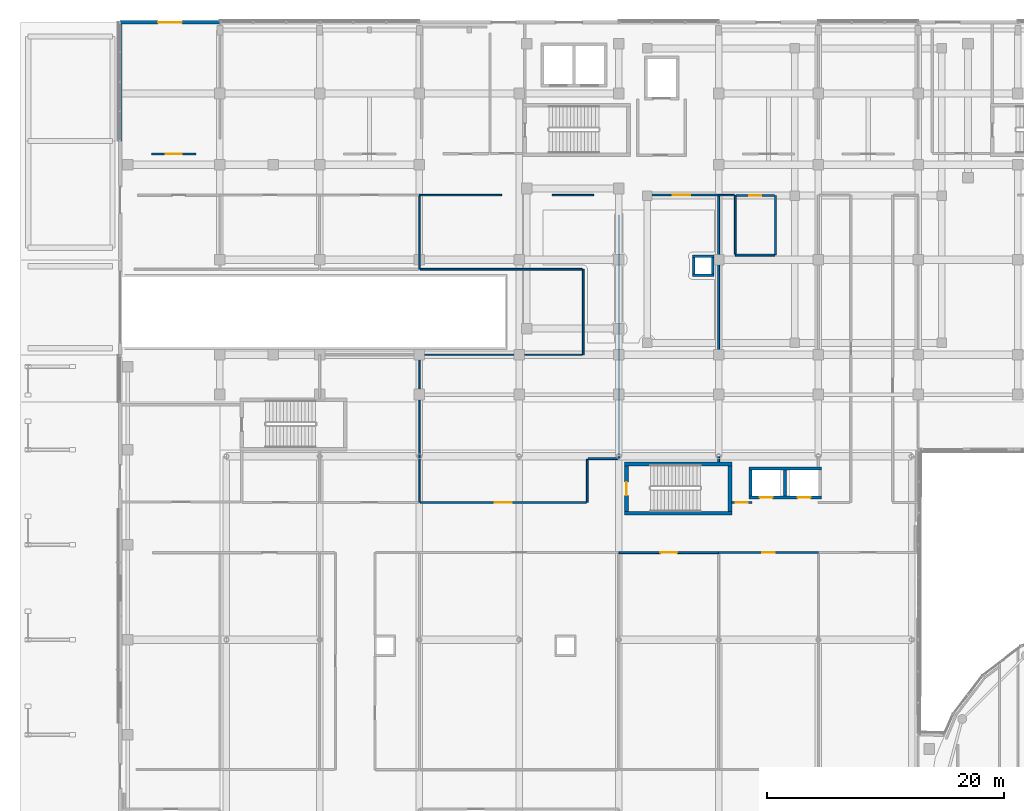
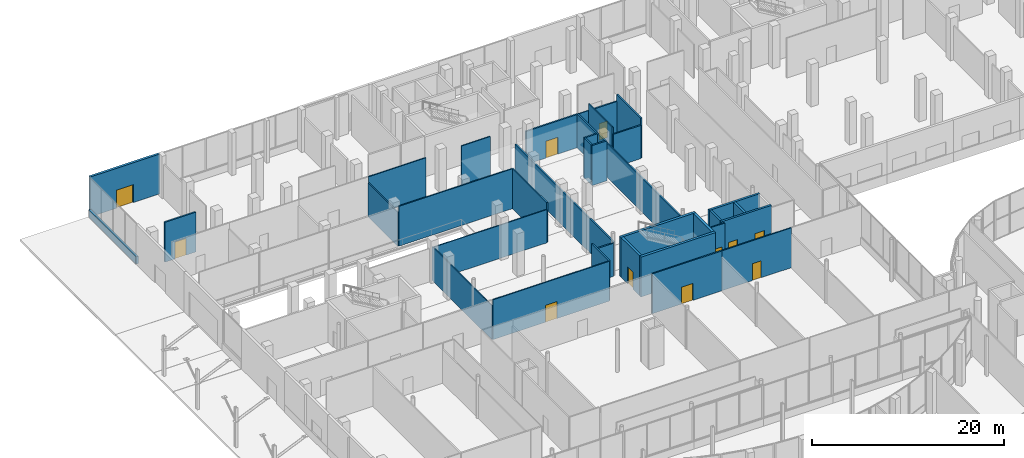
# One storey, part 138 of 158: 36 walls, 11 doors, 11 openings.
"""IFC4 building model written with IfcOpenShell, lengths in metres."""

from ifc_helpers import new_model, si_unit, direction, frame, frame_2d, origin, place, context, subcontext, project, spatial, rectangle, extrude, material, layer, layer_set, type_object, element, fill, save


model = new_model("IFC4")

# Units and contexts
model_context = context("Model", 3, precision=1e-05, world=origin(), true_north=direction((0.0, 1.0)))
body_context = subcontext(model_context, "Body", "Model", "MODEL_VIEW")
ifc_project = project(units=[si_unit("LENGTHUNIT", "METRE"), si_unit("AREAUNIT", "SQUARE_METRE"), si_unit("VOLUMEUNIT", "CUBIC_METRE"), si_unit("PLANEANGLEUNIT", "RADIAN"), si_unit("MASSUNIT", "GRAM", prefix="KILO")], contexts=[model_context])

# Site, building, storey
site_placement = place(None, origin())
site = spatial("IfcSite", under=ifc_project, at=site_placement, CompositionType="ELEMENT")
building_placement = place(site_placement, origin())
building = spatial("IfcBuilding", under=site, at=building_placement, Name="Selatvlak General Hospital", CompositionType="ELEMENT")
storey_placement = place(building_placement, origin())
storey = spatial("IfcBuildingStorey", under=building, at=storey_placement, Name="L00", CompositionType="ELEMENT", Elevation=0.0)

# Wall
ifc_material_1 = material(Name="Precast concrete C40/50 - white Bauhaus spandrel", Category="concrete")
ifc_layer_1 = layer(ifc_material_1, 0.280029296875, Name="Precast concrete C40/50 - white Bauhaus spandrel", Category="concrete")
ifc_layer_set_1 = layer_set([ifc_layer_1], Name="Precast concrete C40/50 - white Bauhaus spandrel")
wall_type_1 = type_object("IfcWallType", Name="WALL-EW-02", PredefinedType="SOLIDWALL", material=ifc_layer_set_1)
wall_1_placement = place(storey_placement, frame((14.39990234375, 110.02099609375, 0.0), z_axis=(0.0, 0.0, 1.0), x_axis=(0.0, 1.0, 0.0)))
element("IfcWall", 1, at=wall_1_placement, inside=storey, type_object=wall_type_1, Name="L00 Bauhaus spandrel sill wall 0148", PredefinedType="SOLIDWALL", context=body_context, shape_type="SweptSolid", body=[
    extrude(rectangle(XDim=9.837890625, YDim=0.280029296875, at=frame_2d((4.9189453125, 0.0))), origin(), (0.0, 0.0, 1.0), 0.93994140625),
])

# Wall, opening, door
wall_2_placement = place(storey_placement, frame((14.39990234375, 119.9990234375, 0.0), z_axis=(0.0, 0.0, 1.0), x_axis=(1.0, 0.0, 0.0)))
wall_2 = element("IfcWall", 2, at=wall_2_placement, inside=storey, type_object=wall_type_1, Name="L00 exterior wall 0149", PredefinedType="SOLIDWALL", context=body_context, shape_type="SweptSolid", body=[
    extrude(rectangle(XDim=8.400146484375, YDim=0.280029296875, at=frame_2d((4.2001953125, 0.0))), origin(), (0.0, 0.0, 1.0), 5.080078125),
])
opening_1_placement = place(wall_2_placement, frame((3.199951171875, 0.0, 0.0)))
opening_1 = element("IfcOpeningElement", 3, at=opening_1_placement, cuts=wall_2, Name="Opening DE-03", PredefinedType="OPENING", context=body_context, shape_type="SweptSolid", body=[
    extrude(rectangle(XDim=2.0, YDim=2.300048828125, at=frame_2d((1.0, 1.14990234375))), frame((0.0, 0.14990234375, 0.0), z_axis=(0.0, -1.0, 0.0), x_axis=(1.0, 0.0, 0.0)), (0.0, 0.0, 1.0), 0.300048828125),
])
ifc_material_2 = material(Name="Steel acoustic fire exit double door", Category="steel")
door_type_1 = type_object("IfcDoorType", Name="DOOR-DE-03", OperationType="DOUBLE_DOOR_SINGLE_SWING", PredefinedType="DOOR", material=ifc_material_2)
door_1_placement = place(opening_1_placement, origin())
door_1 = element("IfcDoor", 4, at=door_1_placement, inside=storey, type_object=door_type_1, Name="Ground pedestrian final exit double door 05", OperationType="DOUBLE_DOOR_SINGLE_SWING", OverallHeight=2.300048828125, OverallWidth=2.0, PredefinedType="DOOR", context=body_context, shape_type="SweptSolid", body=[
    extrude(rectangle(XDim=2.0, YDim=2.300048828125, at=frame_2d((1.0, 1.14990234375))), frame((0.0, 0.02490234375, 0.0), z_axis=(0.0, -1.0, 0.0), x_axis=(1.0, 0.0, 0.0)), (0.0, 0.0, 1.0), 0.050048828125),
])
fill(opening_1, door_1)

# Walls
ifc_material_3 = material(Name="Concrete C40/50", Category="concrete")
ifc_layer_2 = layer(ifc_material_3, 0.199951171875, Name="Concrete C40/50", Category="concrete")
ifc_layer_set_2 = layer_set([ifc_layer_2], Name="Concrete C40/50")
wall_type_2 = type_object("IfcWallType", Name="WALL-IW-02", PredefinedType="SOLIDWALL", material=ifc_layer_set_2)
wall_3_placement = place(storey_placement, frame((62.60009765625, 98.699951171875, 0.0), z_axis=(0.0, 0.0, 1.0), x_axis=(1.0, 0.0, 0.0)))
element("IfcWall", 5, at=wall_3_placement, inside=storey, type_object=wall_type_2, Name="Service riser 1 shaft wall L00 S", PredefinedType="SOLIDWALL", context=body_context, shape_type="SweptSolid", body=[
    extrude(rectangle(XDim=1.7998046875, YDim=0.199951171875, at=frame_2d((0.89990234375, 0.0))), origin(), (0.0, 0.0, 1.0), 5.080078125),
])
wall_4_placement = place(storey_placement, frame((64.300048828125, 98.800048828125, 0.0), z_axis=(0.0, 0.0, 1.0), x_axis=(0.0, 1.0, 0.0)))
element("IfcWall", 6, at=wall_4_placement, inside=storey, type_object=wall_type_2, Name="Service riser 1 shaft wall L00 E", PredefinedType="SOLIDWALL", context=body_context, shape_type="SweptSolid", body=[
    extrude(rectangle(XDim=1.39990234375, YDim=0.199951171875, at=frame_2d((0.699951171875, 0.0))), origin(), (0.0, 0.0, 1.0), 5.080078125),
])
wall_5_placement = place(storey_placement, frame((64.39990234375, 100.300048828125, 0.0), z_axis=(0.0, 0.0, 1.0), x_axis=(-1.0, 0.0, 0.0)))
element("IfcWall", 7, at=wall_5_placement, inside=storey, type_object=wall_type_2, Name="Service riser 1 shaft wall L00 N", PredefinedType="SOLIDWALL", context=body_context, shape_type="SweptSolid", body=[
    extrude(rectangle(XDim=1.7998046875, YDim=0.199951171875, at=frame_2d((0.89990234375, 0.0))), origin(), (0.0, 0.0, 1.0), 5.080078125),
])
wall_6_placement = place(storey_placement, frame((62.699951171875, 100.199951171875, 0.0), z_axis=(0.0, 0.0, 1.0), x_axis=(0.0, -1.0, 0.0)))
element("IfcWall", 8, at=wall_6_placement, inside=storey, type_object=wall_type_2, Name="Service riser 1 shaft wall L00 W", PredefinedType="SOLIDWALL", context=body_context, shape_type="SweptSolid", body=[
    extrude(rectangle(XDim=1.39990234375, YDim=0.199951171875, at=frame_2d((0.699951171875, 0.0))), origin(), (0.0, 0.0, 1.0), 5.080078125),
])
ifc_material_4 = material(Name="Acoustic gypsum stud partition")
ifc_layer_3 = layer(ifc_material_4, 0.179931640625, Name="Acoustic gypsum stud partition")
ifc_layer_set_3 = layer_set([ifc_layer_3], Name="Acoustic gypsum stud partition")
wall_type_3 = type_object("IfcWallType", Name="WALL-PT-01", PredefinedType="PARTITIONING", material=ifc_layer_set_3)
wall_7_placement = place(storey_placement, frame((69.60009765625, 105.419921875, 0.0), z_axis=(0.0, 0.0, 1.0), x_axis=(0.0, -1.0, 0.0)))
element("IfcWall", 9, at=wall_7_placement, inside=storey, type_object=wall_type_3, Name="L00 clinical partition PT-L00-0384", PredefinedType="PARTITIONING", context=body_context, shape_type="SweptSolid", body=[
    extrude(rectangle(XDim=5.02001953125, YDim=0.179931640625, at=frame_2d((2.510009765625, 0.0))), origin(), (0.0, 0.0, 1.0), 5.080078125),
])

# Wall, opening, door
wall_8_placement = place(storey_placement, frame((66.263916015625, 105.419921875, 0.0), z_axis=(0.0, 0.0, 1.0), x_axis=(1.0, 0.0, 0.0)))
wall_8 = element("IfcWall", 10, at=wall_8_placement, inside=storey, type_object=wall_type_3, Name="L00 clinical partition PT-L00-0387", PredefinedType="PARTITIONING", context=body_context, shape_type="SweptSolid", body=[
    extrude(rectangle(XDim=3.25, YDim=0.179931640625, at=frame_2d((1.625, 0.0))), origin(), (0.0, 0.0, 1.0), 4.22998046875),
])
opening_2_placement = place(wall_8_placement, frame((1.125, 0.0, 0.0)))
opening_2 = element("IfcOpeningElement", 11, at=opening_2_placement, cuts=wall_8, Name="Opening D-03", PredefinedType="OPENING", context=body_context, shape_type="SweptSolid", body=[
    extrude(rectangle(XDim=1.0, YDim=2.10009765625, at=frame_2d((0.5, 1.050048828125))), frame((0.0, 0.099853515625, 0.0), z_axis=(0.0, -1.0, 0.0), x_axis=(1.0, 0.0, 0.0)), (0.0, 0.0, 1.0), 0.199951171875),
])
ifc_material_5 = material(Name="Accessible WC door")
door_type_2 = type_object("IfcDoorType", Name="DOOR-D-03", OperationType="NOTDEFINED", PredefinedType="DOOR", material=ifc_material_5)
door_2_placement = place(opening_2_placement, origin())
door_2 = element("IfcDoor", 12, at=door_2_placement, inside=storey, type_object=door_type_2, Name="L00 Accessible WC door", OperationType="SINGLE_SWING_LEFT", OverallHeight=2.10009765625, OverallWidth=1.0, PredefinedType="DOOR", context=body_context, shape_type="SweptSolid", body=[
    extrude(rectangle(XDim=1.0, YDim=2.10009765625, at=frame_2d((0.5, 1.050048828125))), frame((0.0, 0.02490234375, 0.0), z_axis=(0.0, -1.0, 0.0), x_axis=(1.0, 0.0, 0.0)), (0.0, 0.0, 1.0), 0.050048828125),
])
fill(opening_2, door_2)

# Wall
wall_9_placement = place(storey_placement, frame((56.39990234375, 103.7900390625, 0.0), z_axis=(0.0, 0.0, 1.0), x_axis=(0.0, -1.0, 0.0)))
element("IfcWall", 13, at=wall_9_placement, inside=storey, type_object=wall_type_3, Name="L00 clinical partition PT-L00-0625", PredefinedType="PARTITIONING", context=body_context, shape_type="SweptSolid", body=[
    extrude(rectangle(XDim=20.530029296875, YDim=0.179931640625, at=frame_2d((10.26513671875, 0.0))), origin(), (0.0, 0.0, 1.0), 4.330078125),
])

# Wall, opening, door
wall_10_placement = place(storey_placement, frame((58.534912109375, 105.43994140625, 0.0), z_axis=(0.0, 0.0, 1.0), x_axis=(1.0, 0.0, 0.0)))
wall_10 = element("IfcWall", 14, at=wall_10_placement, inside=storey, type_object=wall_type_3, Name="L00 clinical partition PT-L00-0630", PredefinedType="PARTITIONING", context=body_context, shape_type="SweptSolid", body=[
    extrude(rectangle(XDim=6.26513671875, YDim=0.179931640625, at=frame_2d((3.132568359375, 0.0))), origin(), (0.0, 0.0, 1.0), 4.22998046875),
])
opening_3_placement = place(wall_10_placement, frame((2.407958984375, 0.0, 0.0)))
opening_3 = element("IfcOpeningElement", 15, at=opening_3_placement, cuts=wall_10, Name="Opening D-12", PredefinedType="OPENING", context=body_context, shape_type="SweptSolid", body=[
    extrude(rectangle(XDim=1.449951171875, YDim=2.14990234375, at=frame_2d((0.72509765625, 1.074951171875))), frame((0.0, 0.099853515625, 0.0), z_axis=(0.0, -1.0, 0.0), x_axis=(1.0, 0.0, 0.0)), (0.0, 0.0, 1.0), 0.199951171875),
])
ifc_material_6 = material(Name="Isolation anteroom door")
door_type_3 = type_object("IfcDoorType", Name="DOOR-D-12", OperationType="NOTDEFINED", PredefinedType="DOOR", material=ifc_material_6)
door_3_placement = place(opening_3_placement, origin())
door_3 = element("IfcDoor", 16, at=door_3_placement, inside=storey, type_object=door_type_3, Name="L00 Emergency Triage Room 47 door", OperationType="SINGLE_SWING_LEFT", OverallHeight=2.14990234375, OverallWidth=1.449951171875, PredefinedType="DOOR", context=body_context, shape_type="SweptSolid", body=[
    extrude(rectangle(XDim=1.449951171875, YDim=2.14990234375, at=frame_2d((0.72509765625, 1.074951171875))), frame((0.0, 0.02490234375, 0.0), z_axis=(0.0, -1.0, 0.0), x_axis=(1.0, 0.0, 0.0)), (0.0, 0.0, 1.0), 0.050048828125),
])
fill(opening_3, door_3)

wall_11_placement = place(storey_placement, frame((20.7890625, 108.909912109375, 0.0), z_axis=(0.0, 0.0, 1.0), x_axis=(-1.0, 0.0, 0.0)))
wall_11 = element("IfcWall", 17, at=wall_11_placement, inside=storey, type_object=wall_type_3, Name="L00 clinical partition PT-L00-0670", PredefinedType="PARTITIONING", context=body_context, shape_type="SweptSolid", body=[
    extrude(rectangle(XDim=3.72802734375, YDim=0.179931640625, at=frame_2d((1.864013671875, 0.0))), origin(), (0.0, 0.0, 1.0), 5.080078125),
])
opening_4_placement = place(wall_11_placement, frame((1.18896484375, 0.0, 0.0)))
opening_4 = element("IfcOpeningElement", 18, at=opening_4_placement, cuts=wall_11, Name="Opening D-10", PredefinedType="OPENING", context=body_context, shape_type="SweptSolid", body=[
    extrude(rectangle(XDim=1.35009765625, YDim=2.14990234375, at=frame_2d((0.675048828125, 1.074951171875))), frame((0.0, 0.099853515625, 0.0), z_axis=(0.0, -1.0, 0.0), x_axis=(1.0, 0.0, 0.0)), (0.0, 0.0, 1.0), 0.199951171875),
])
ifc_material_7 = material(Name="Single patient bed door")
door_type_4 = type_object("IfcDoorType", Name="DOOR-D-10", OperationType="NOTDEFINED", PredefinedType="DOOR", material=ifc_material_7)
door_4_placement = place(opening_4_placement, origin())
door_4 = element("IfcDoor", 19, at=door_4_placement, inside=storey, type_object=door_type_4, Name="L00 General Radiography X-Ray Suite 62 door", OperationType="SINGLE_SWING_LEFT", OverallHeight=2.14990234375, OverallWidth=1.35009765625, PredefinedType="DOOR", context=body_context, shape_type="SweptSolid", body=[
    extrude(rectangle(XDim=1.35009765625, YDim=2.14990234375, at=frame_2d((0.675048828125, 1.074951171875))), frame((0.0, 0.02490234375, 0.0), z_axis=(0.0, -1.0, 0.0), x_axis=(1.0, 0.0, 0.0)), (0.0, 0.0, 1.0), 0.050048828125),
])
fill(opening_4, door_4)

# Wall
ifc_layer_4 = layer(ifc_material_4, 0.1650390625, Name="Acoustic gypsum stud partition")
ifc_layer_set_4 = layer_set([ifc_layer_4], Name="Acoustic gypsum stud partition")
wall_type_4 = type_object("IfcWallType", Name="WALL-PT-02", PredefinedType="PARTITIONING", material=ifc_layer_set_4)
wall_12_placement = place(storey_placement, frame((69.513916015625, 100.39990234375, 0.0), z_axis=(0.0, 0.0, 1.0), x_axis=(-1.0, 0.0, 0.0)))
element("IfcWall", 20, at=wall_12_placement, inside=storey, type_object=wall_type_4, Name="L00 clinical partition PT-L00-0385", PredefinedType="PARTITIONING", context=body_context, shape_type="SweptSolid", body=[
    extrude(rectangle(XDim=3.31396484375, YDim=0.1650390625, at=frame_2d((1.656982421875, 0.0))), origin(), (0.0, 0.0, 1.0), 4.22998046875),
])

# Wall, opening, door
wall_13_placement = place(storey_placement, frame((56.39990234375, 75.340087890625, 0.0), z_axis=(0.0, 0.0, 1.0), x_axis=(1.0, 0.0, 0.0)))
wall_13 = element("IfcWall", 21, at=wall_13_placement, inside=storey, type_object=wall_type_4, Name="L00 clinical partition PT-L00-0466", PredefinedType="PARTITIONING", context=body_context, shape_type="SweptSolid", body=[
    extrude(rectangle(XDim=8.400146484375, YDim=0.1650390625, at=frame_2d((4.2001953125, 0.0))), origin(), (0.0, 0.0, 1.0), 5.080078125),
])
opening_5_placement = place(wall_13_placement, frame((3.5, 0.0, 0.0)))
opening_5 = element("IfcOpeningElement", 22, at=opening_5_placement, cuts=wall_13, Name="Opening D-11", PredefinedType="OPENING", context=body_context, shape_type="SweptSolid", body=[
    extrude(rectangle(XDim=1.39990234375, YDim=2.14990234375, at=frame_2d((0.699951171875, 1.074951171875))), frame((0.0, 0.092529296875, 0.0), z_axis=(0.0, -1.0, 0.0), x_axis=(1.0, 0.0, 0.0)), (0.0, 0.0, 1.0), 0.18505859375),
])
ifc_material_8 = material(Name="Inpatient suite bed door")
door_type_5 = type_object("IfcDoorType", Name="DOOR-D-11", OperationType="NOTDEFINED", PredefinedType="DOOR", material=ifc_material_8)
door_5_placement = place(opening_5_placement, origin())
door_5 = element("IfcDoor", 23, at=door_5_placement, inside=storey, type_object=door_type_5, Name="L00 Main Concourse Hall and Registration Atrium 14 door", OperationType="SINGLE_SWING_RIGHT", OverallHeight=2.14990234375, OverallWidth=1.39990234375, PredefinedType="DOOR", context=body_context, shape_type="SweptSolid", body=[
    extrude(rectangle(XDim=1.39990234375, YDim=2.14990234375, at=frame_2d((0.699951171875, 1.074951171875))), frame((0.0, 0.02490234375, 0.0), z_axis=(0.0, -1.0, 0.0), x_axis=(1.0, 0.0, 0.0)), (0.0, 0.0, 1.0), 0.050048828125),
])
fill(opening_5, door_5)

# Walls
wall_14_placement = place(storey_placement, frame((53.39990234375, 92.0, 0.0), z_axis=(0.0, 0.0, 1.0), x_axis=(0.0, 1.0, 0.0)))
element("IfcWall", 24, at=wall_14_placement, inside=storey, type_object=wall_type_4, Name="L00 clinical partition PT-L00-0621", PredefinedType="PARTITIONING", context=body_context, shape_type="SweptSolid", body=[
    extrude(rectangle(XDim=7.199951171875, YDim=0.1650390625, at=frame_2d((3.60009765625, 0.0))), origin(), (0.0, 0.0, 1.0), 5.080078125),
])
wall_15_placement = place(storey_placement, frame((56.31396484375, 83.260009765625, 0.0), z_axis=(0.0, 0.0, 1.0), x_axis=(-1.0, 0.0, 0.0)))
element("IfcWall", 25, at=wall_15_placement, inside=storey, type_object=wall_type_4, Name="L00 clinical partition PT-L00-0626", PredefinedType="PARTITIONING", context=body_context, shape_type="SweptSolid", body=[
    extrude(rectangle(XDim=2.513916015625, YDim=0.1650390625, at=frame_2d((1.2568359375, 0.0))), origin(), (0.0, 0.0, 1.0), 4.22998046875),
])
wall_16_placement = place(storey_placement, frame((64.800048828125, 105.35400390625, 0.0), z_axis=(0.0, 0.0, 1.0), x_axis=(0.0, -1.0, 0.0)))
element("IfcWall", 26, at=wall_16_placement, inside=storey, type_object=wall_type_4, Name="L00 clinical partition PT-L00-0631", PredefinedType="PARTITIONING", context=body_context, shape_type="SweptSolid", body=[
    extrude(rectangle(XDim=22.406982421875, YDim=0.1650390625, at=frame_2d((11.20361328125, 0.0))), origin(), (0.0, 0.0, 1.0), 4.330078125),
])

# Wall, opening, door
ifc_layer_5 = layer(ifc_material_4, 0.14990234375, Name="Acoustic gypsum stud partition")
ifc_layer_set_5 = layer_set([ifc_layer_5], Name="Acoustic gypsum stud partition")
wall_type_5 = type_object("IfcWallType", Name="WALL-PT-03", PredefinedType="PARTITIONING", material=ifc_layer_set_5)
wall_17_placement = place(storey_placement, frame((64.800048828125, 75.340087890625, 0.0), z_axis=(0.0, 0.0, 1.0), x_axis=(1.0, 0.0, 0.0)))
wall_17 = element("IfcWall", 27, at=wall_17_placement, inside=storey, type_object=wall_type_5, Name="L00 clinical partition PT-L00-0477", PredefinedType="PARTITIONING", context=body_context, shape_type="SweptSolid", body=[
    extrude(rectangle(XDim=8.39990234375, YDim=0.14990234375, at=frame_2d((4.199951171875, 0.0))), origin(), (0.0, 0.0, 1.0), 5.080078125),
])
opening_6_placement = place(wall_17_placement, frame((3.675048828125, 0.0, 0.0)))
opening_6 = element("IfcOpeningElement", 28, at=opening_6_placement, cuts=wall_17, Name="Opening D-04", PredefinedType="OPENING", context=body_context, shape_type="SweptSolid", body=[
    extrude(rectangle(XDim=1.050048828125, YDim=2.14990234375, at=frame_2d((0.52490234375, 1.074951171875))), frame((0.0, 0.0849609375, 0.0), z_axis=(0.0, -1.0, 0.0), x_axis=(1.0, 0.0, 0.0)), (0.0, 0.0, 1.0), 0.169921875),
])
ifc_material_9 = material(Name="Consultation room door")
door_type_6 = type_object("IfcDoorType", Name="DOOR-D-04", OperationType="NOTDEFINED", PredefinedType="DOOR", material=ifc_material_9)
door_6_placement = place(opening_6_placement, origin())
door_6 = element("IfcDoor", 29, at=door_6_placement, inside=storey, type_object=door_type_6, Name="L00 Main Concourse Hall and Registration Atrium 17 door", OperationType="SINGLE_SWING_LEFT", OverallHeight=2.14990234375, OverallWidth=1.050048828125, PredefinedType="DOOR", context=body_context, shape_type="SweptSolid", body=[
    extrude(rectangle(XDim=1.050048828125, YDim=2.14990234375, at=frame_2d((0.52490234375, 1.074951171875))), frame((0.0, 0.02490234375, 0.0), z_axis=(0.0, -1.0, 0.0), x_axis=(1.0, 0.0, 0.0)), (0.0, 0.0, 1.0), 0.050048828125),
])
fill(opening_6, door_6)

# Walls
wall_18_placement = place(storey_placement, frame((53.322021484375, 99.199951171875, 0.0), z_axis=(0.0, 0.0, 1.0), x_axis=(-1.0, 0.0, 0.0)))
element("IfcWall", 30, at=wall_18_placement, inside=storey, type_object=wall_type_5, Name="L00 clinical partition PT-L00-0622", PredefinedType="PARTITIONING", context=body_context, shape_type="SweptSolid", body=[
    extrude(rectangle(XDim=13.666015625, YDim=0.14990234375, at=frame_2d((6.8330078125, 0.0))), origin(), (0.0, 0.0, 1.0), 5.080078125),
])
wall_19_placement = place(storey_placement, frame((53.739990234375, 83.199951171875, 0.0), z_axis=(0.0, 0.0, 1.0), x_axis=(0.0, -1.0, 0.0)))
element("IfcWall", 31, at=wall_19_placement, inside=storey, type_object=wall_type_5, Name="L00 clinical partition PT-L00-0627", PredefinedType="PARTITIONING", context=body_context, shape_type="SweptSolid", body=[
    extrude(rectangle(XDim=3.639892578125, YDim=0.14990234375, at=frame_2d((1.81982421875, 0.0))), origin(), (0.0, 0.0, 1.0), 5.080078125),
])
ifc_material_10 = material(Name="Moisture-resistant clinical partition")
ifc_layer_6 = layer(ifc_material_10, 0.135009765625, Name="Moisture-resistant clinical partition")
ifc_layer_set_6 = layer_set([ifc_layer_6], Name="Moisture-resistant clinical partition")
wall_type_6 = type_object("IfcWallType", Name="WALL-PT-04", PredefinedType="PARTITIONING", material=ifc_layer_set_6)
wall_20_placement = place(storey_placement, frame((66.199951171875, 100.47900390625, 0.0), z_axis=(0.0, 0.0, 1.0), x_axis=(0.0, 1.0, 0.0)))
element("IfcWall", 32, at=wall_20_placement, inside=storey, type_object=wall_type_6, Name="L00 clinical partition PT-L00-0386", PredefinedType="PARTITIONING", context=body_context, shape_type="SweptSolid", body=[
    extrude(rectangle(XDim=4.94091796875, YDim=0.135009765625, at=frame_2d((2.470458984375, 0.0))), origin(), (0.0, 0.0, 1.0), 5.080078125),
])
wall_21_placement = place(storey_placement, frame((39.60009765625, 105.43994140625, 0.0), z_axis=(0.0, 0.0, 1.0), x_axis=(1.0, 0.0, 0.0)))
element("IfcWall", 33, at=wall_21_placement, inside=storey, type_object=wall_type_6, Name="L00 clinical partition PT-L00-0623", PredefinedType="PARTITIONING", context=body_context, shape_type="SweptSolid", body=[
    extrude(rectangle(XDim=6.914794921875, YDim=0.135009765625, at=frame_2d((3.45751953125, 0.0))), origin(), (0.0, 0.0, 1.0), 5.080078125),
])

# Wall, opening, door
wall_22_placement = place(storey_placement, frame((53.6689453125, 79.56005859375, 0.0), z_axis=(0.0, 0.0, 1.0), x_axis=(-1.0, 0.0, 0.0)))
wall_22 = element("IfcWall", 34, at=wall_22_placement, inside=storey, type_object=wall_type_6, Name="L00 clinical partition PT-L00-0628", PredefinedType="PARTITIONING", context=body_context, shape_type="SweptSolid", body=[
    extrude(rectangle(XDim=14.012939453125, YDim=0.135009765625, at=frame_2d((7.00634765625, 0.0))), origin(), (0.0, 0.0, 1.0), 5.080078125),
])
opening_7_placement = place(wall_22_placement, frame((6.305908203125, 0.0, 0.0)))
opening_7 = element("IfcOpeningElement", 35, at=opening_7_placement, cuts=wall_22, Name="Opening D-11", PredefinedType="OPENING", context=body_context, shape_type="SweptSolid", body=[
    extrude(rectangle(XDim=1.39990234375, YDim=2.14990234375, at=frame_2d((0.699951171875, 1.074951171875))), frame((0.0, 0.077392578125, 0.0), z_axis=(0.0, -1.0, 0.0), x_axis=(1.0, 0.0, 0.0)), (0.0, 0.0, 1.0), 0.155029296875),
])
door_7_placement = place(opening_7_placement, origin())
door_7 = element("IfcDoor", 36, at=door_7_placement, inside=storey, type_object=door_type_5, Name="L00 General Radiography X-Ray Suite 46 door", OperationType="SINGLE_SWING_RIGHT", OverallHeight=2.14990234375, OverallWidth=1.39990234375, PredefinedType="DOOR", context=body_context, shape_type="SweptSolid", body=[
    extrude(rectangle(XDim=1.39990234375, YDim=2.14990234375, at=frame_2d((0.699951171875, 1.074951171875))), frame((0.0, 0.02490234375, 0.0), z_axis=(0.0, -1.0, 0.0), x_axis=(1.0, 0.0, 0.0)), (0.0, 0.0, 1.0), 0.050048828125),
])
fill(opening_7, door_7)

wall_23_placement = place(storey_placement, frame((67.590087890625, 79.56005859375, 0.0), z_axis=(0.0, 0.0, 1.0), x_axis=(-1.0, 0.0, 0.0)))
wall_23 = element("IfcWall", 37, at=wall_23_placement, inside=storey, type_object=wall_type_6, Name="L00 clinical partition PT-L00-0633", PredefinedType="PARTITIONING", context=body_context, shape_type="SweptSolid", body=[
    extrude(rectangle(XDim=1.68310546875, YDim=0.135009765625, at=frame_2d((0.841552734375, 0.0))), origin(), (0.0, 0.0, 1.0), 5.080078125),
])
opening_8_placement = place(wall_23_placement, frame((0.342041015625, 0.0, 0.0)))
opening_8 = element("IfcOpeningElement", 38, at=opening_8_placement, cuts=wall_23, Name="Opening D-21", PredefinedType="OPENING", context=body_context, shape_type="SweptSolid", body=[
    extrude(rectangle(XDim=1.0, YDim=2.14990234375, at=frame_2d((0.5, 1.074951171875))), frame((0.0, 0.077392578125, 0.0), z_axis=(0.0, -1.0, 0.0), x_axis=(1.0, 0.0, 0.0)), (0.0, 0.0, 1.0), 0.155029296875),
])
ifc_material_11 = material(Name="Laboratory fire door")
door_type_7 = type_object("IfcDoorType", Name="DOOR-D-21", OperationType="NOTDEFINED", PredefinedType="DOOR", material=ifc_material_11)
door_8_placement = place(opening_8_placement, origin())
door_8 = element("IfcDoor", 39, at=door_8_placement, inside=storey, type_object=door_type_7, Name="L00 Patient Welfare Office 48 door", OperationType="SINGLE_SWING_RIGHT", OverallHeight=2.14990234375, OverallWidth=1.0, PredefinedType="DOOR", context=body_context, shape_type="SweptSolid", body=[
    extrude(rectangle(XDim=1.0, YDim=2.14990234375, at=frame_2d((0.5, 1.074951171875))), frame((0.0, 0.02490234375, 0.0), z_axis=(0.0, -1.0, 0.0), x_axis=(1.0, 0.0, 0.0)), (0.0, 0.0, 1.0), 0.050048828125),
])
fill(opening_8, door_8)

# Walls
ifc_layer_7 = layer(ifc_material_10, 0.1201171875, Name="Moisture-resistant clinical partition")
ifc_layer_set_7 = layer_set([ifc_layer_7], Name="Moisture-resistant clinical partition")
wall_type_7 = type_object("IfcWallType", Name="WALL-PT-05", PredefinedType="PARTITIONING", material=ifc_layer_set_7)
wall_24_placement = place(storey_placement, frame((39.60009765625, 92.0, 0.0), z_axis=(0.0, 0.0, 1.0), x_axis=(0.0, -1.0, 0.0)))
element("IfcWall", 40, at=wall_24_placement, inside=storey, type_object=wall_type_7, Name="L00 clinical partition PT-L00-0614", PredefinedType="PARTITIONING", context=body_context, shape_type="SweptSolid", body=[
    extrude(rectangle(XDim=12.43994140625, YDim=0.1201171875, at=frame_2d((6.219970703125, 0.0))), origin(), (0.0, 0.0, 1.0), 4.330078125),
])
wall_25_placement = place(storey_placement, frame((39.60009765625, 105.3759765625, 0.0), z_axis=(0.0, 0.0, 1.0), x_axis=(0.0, -1.0, 0.0)))
element("IfcWall", 41, at=wall_25_placement, inside=storey, type_object=wall_type_7, Name="L00 clinical partition PT-L00-0619", PredefinedType="PARTITIONING", context=body_context, shape_type="SweptSolid", body=[
    extrude(rectangle(XDim=6.176025390625, YDim=0.1201171875, at=frame_2d((3.087890625, 0.0))), origin(), (0.0, 0.0, 1.0), 4.330078125),
])
wall_26_placement = place(storey_placement, frame((50.784912109375, 105.43994140625, 0.0), z_axis=(0.0, 0.0, 1.0), x_axis=(1.0, 0.0, 0.0)))
element("IfcWall", 42, at=wall_26_placement, inside=storey, type_object=wall_type_7, Name="L00 clinical partition PT-L00-0624", PredefinedType="PARTITIONING", context=body_context, shape_type="SweptSolid", body=[
    extrude(rectangle(XDim=3.47998046875, YDim=0.1201171875, at=frame_2d((1.739990234375, 0.0))), origin(), (0.0, 0.0, 1.0), 5.080078125),
])
wall_27_placement = place(storey_placement, frame((39.656005859375, 92.0, 0.0), z_axis=(0.0, 0.0, 1.0), x_axis=(1.0, 0.0, 0.0)))
element("IfcWall", 43, at=wall_27_placement, inside=storey, type_object=wall_type_7, Name="L00 clinical partition PT-L00-0629", PredefinedType="PARTITIONING", context=body_context, shape_type="SweptSolid", body=[
    extrude(rectangle(XDim=13.666015625, YDim=0.1201171875, at=frame_2d((6.8330078125, 0.0))), origin(), (0.0, 0.0, 1.0), 4.22998046875),
])
wall_28_placement = place(storey_placement, frame((64.800048828125, 105.43994140625, 0.0), z_axis=(0.0, 0.0, 1.0), x_axis=(1.0, 0.0, 0.0)))
element("IfcWall", 44, at=wall_28_placement, inside=storey, type_object=wall_type_7, Name="L00 clinical partition PT-L00-0634", PredefinedType="PARTITIONING", context=body_context, shape_type="SweptSolid", body=[
    extrude(rectangle(XDim=1.320068359375, YDim=0.1201171875, at=frame_2d((0.66015625, 0.0))), origin(), (0.0, 0.0, 1.0), 4.22998046875),
])
ifc_material_12 = material(Name="Concrete C45/55", Category="concrete")
ifc_layer_8 = layer(ifc_material_12, 0.300048828125, Name="Concrete C45/55", Category="concrete")
ifc_layer_set_8 = layer_set([ifc_layer_8], Name="Concrete C45/55")
wall_type_8 = type_object("IfcWallType", Name="WALL-SW-02", PredefinedType="SHEAR", material=ifc_layer_set_8)
wall_29_placement = place(storey_placement, frame((56.889892578125, 78.639892578125, 0.0), z_axis=(0.0, 0.0, 1.0), x_axis=(1.0, 0.0, 0.0)))
element("IfcWall", 45, at=wall_29_placement, inside=storey, type_object=wall_type_8, Name="ST-05 core shear wall L00 S", PredefinedType="SHEAR", context=body_context, shape_type="SweptSolid", body=[
    extrude(rectangle(XDim=9.02001953125, YDim=0.300048828125, at=frame_2d((4.510009765625, 0.0))), origin(), (0.0, 0.0, 1.0), 5.080078125),
])
wall_30_placement = place(storey_placement, frame((65.760009765625, 78.7900390625, 0.0), z_axis=(0.0, 0.0, 1.0), x_axis=(0.0, 1.0, 0.0)))
element("IfcWall", 46, at=wall_30_placement, inside=storey, type_object=wall_type_8, Name="ST-05 core shear wall L00 E", PredefinedType="SHEAR", context=body_context, shape_type="SweptSolid", body=[
    extrude(rectangle(XDim=3.85986328125, YDim=0.300048828125, at=frame_2d((1.929931640625, 0.0))), origin(), (0.0, 0.0, 1.0), 5.080078125),
])
wall_31_placement = place(storey_placement, frame((65.909912109375, 82.800048828125, 0.0), z_axis=(0.0, 0.0, 1.0), x_axis=(-1.0, 0.0, 0.0)))
element("IfcWall", 47, at=wall_31_placement, inside=storey, type_object=wall_type_8, Name="ST-05 core shear wall L00 N", PredefinedType="SHEAR", context=body_context, shape_type="SweptSolid", body=[
    extrude(rectangle(XDim=9.02001953125, YDim=0.300048828125, at=frame_2d((4.510009765625, 0.0))), origin(), (0.0, 0.0, 1.0), 5.080078125),
])

# Wall, opening, door
wall_32_placement = place(storey_placement, frame((57.0400390625, 82.64990234375, 0.0), z_axis=(0.0, 0.0, 1.0), x_axis=(0.0, -1.0, 0.0)))
wall_32 = element("IfcWall", 48, at=wall_32_placement, inside=storey, type_object=wall_type_8, Name="ST-05 core shear wall L00 W", PredefinedType="SHEAR", context=body_context, shape_type="SweptSolid", body=[
    extrude(rectangle(XDim=3.85986328125, YDim=0.300048828125, at=frame_2d((1.929931640625, 0.0))), origin(), (0.0, 0.0, 1.0), 5.080078125),
])
opening_9_placement = place(wall_32_placement, frame((1.3798828125, 0.0, 0.0)))
opening_9 = element("IfcOpeningElement", 49, at=opening_9_placement, cuts=wall_32, Name="Opening D-05", PredefinedType="OPENING", context=body_context, shape_type="SweptSolid", body=[
    extrude(rectangle(XDim=1.10009765625, YDim=2.14990234375, at=frame_2d((0.550048828125, 1.074951171875))), frame((0.0, 0.159912109375, 0.0), z_axis=(0.0, -1.0, 0.0), x_axis=(1.0, 0.0, 0.0)), (0.0, 0.0, 1.0), 0.320068359375),
])
ifc_material_13 = material(Name="Protected stair fire door")
door_type_8 = type_object("IfcDoorType", Name="DOOR-D-05", OperationType="NOTDEFINED", PredefinedType="DOOR", material=ifc_material_13)
door_9_placement = place(opening_9_placement, origin())
door_9 = element("IfcDoor", 50, at=door_9_placement, inside=storey, type_object=door_type_8, Name="ST-05 protected stair door on L00", OperationType="SINGLE_SWING_RIGHT", OverallHeight=2.14990234375, OverallWidth=1.10009765625, PredefinedType="DOOR", context=body_context, shape_type="SweptSolid", body=[
    extrude(rectangle(XDim=1.10009765625, YDim=2.14990234375, at=frame_2d((0.550048828125, 1.074951171875))), frame((0.0, 0.02490234375, 0.0), z_axis=(0.0, -1.0, 0.0), x_axis=(1.0, 0.0, 0.0)), (0.0, 0.0, 1.0), 0.050048828125),
])
fill(opening_9, door_9)

# Wall, openings, doors
ifc_layer_9 = layer(ifc_material_3, 0.25, Name="Concrete C40/50", Category="concrete")
ifc_layer_set_9 = layer_set([ifc_layer_9], Name="Concrete C40/50")
wall_type_9 = type_object("IfcWallType", Name="WALL-SW-03", PredefinedType="SHEAR", material=ifc_layer_set_9)
wall_33_placement = place(storey_placement, frame((67.35009765625, 79.97509765625, 0.0), z_axis=(0.0, 0.0, 1.0), x_axis=(1.0, 0.0, 0.0)))
wall_33 = element("IfcWall", 51, at=wall_33_placement, inside=storey, type_object=wall_type_9, Name="Lift LP-01-LP-02 shaft wall L00 S", PredefinedType="SHEAR", context=body_context, shape_type="SweptSolid", body=[
    extrude(rectangle(XDim=6.099853515625, YDim=0.25, at=frame_2d((3.0498046875, 0.0))), origin(), (0.0, 0.0, 1.0), 5.080078125),
])
opening_10_placement = place(wall_33_placement, frame((0.89990234375, 0.0, 0.0)))
opening_10 = element("IfcOpeningElement", 52, at=opening_10_placement, cuts=wall_33, Name="Opening LD-P1", PredefinedType="OPENING", context=body_context, shape_type="SweptSolid", body=[
    extrude(rectangle(XDim=1.10009765625, YDim=2.14990234375, at=frame_2d((0.550048828125, 1.074951171875))), frame((0.0, 0.135009765625, 0.0), z_axis=(0.0, -1.0, 0.0), x_axis=(1.0, 0.0, 0.0)), (0.0, 0.0, 1.0), 0.27001953125),
])
opening_11_placement = place(wall_33_placement, frame((4.10009765625, 0.0, 0.0)))
opening_11 = element("IfcOpeningElement", 53, at=opening_11_placement, cuts=wall_33, Name="Opening LD-P1", PredefinedType="OPENING", context=body_context, shape_type="SweptSolid", body=[
    extrude(rectangle(XDim=1.10009765625, YDim=2.14990234375, at=frame_2d((0.550048828125, 1.074951171875))), frame((0.0, 0.135009765625, 0.0), z_axis=(0.0, -1.0, 0.0), x_axis=(1.0, 0.0, 0.0)), (0.0, 0.0, 1.0), 0.27001953125),
])
ifc_material_14 = material(Name="Stainless steel passenger lift landing door", Category="steel")
door_type_9 = type_object("IfcDoorType", Name="DOOR-LD-P1", OperationType="DOUBLE_DOOR_SLIDING", PredefinedType="DOOR", material=ifc_material_14)
door_10_placement = place(opening_10_placement, origin())
door_10 = element("IfcDoor", 54, at=door_10_placement, inside=storey, type_object=door_type_9, Name="Lift LP-01 sliding landing door on L00", OperationType="DOUBLE_DOOR_SLIDING", OverallHeight=2.14990234375, OverallWidth=1.10009765625, PredefinedType="DOOR", context=body_context, shape_type="SweptSolid", body=[
    extrude(rectangle(XDim=1.10009765625, YDim=2.14990234375, at=frame_2d((0.550048828125, 1.074951171875))), frame((0.0, 0.02490234375, 0.0), z_axis=(0.0, -1.0, 0.0), x_axis=(1.0, 0.0, 0.0)), (0.0, 0.0, 1.0), 0.050048828125),
])
fill(opening_10, door_10)
door_11_placement = place(opening_11_placement, origin())
door_11 = element("IfcDoor", 55, at=door_11_placement, inside=storey, type_object=door_type_9, Name="Lift LP-02 sliding landing door on L00", OperationType="DOUBLE_DOOR_SLIDING", OverallHeight=2.14990234375, OverallWidth=1.10009765625, PredefinedType="DOOR", context=body_context, shape_type="SweptSolid", body=[
    extrude(rectangle(XDim=1.10009765625, YDim=2.14990234375, at=frame_2d((0.550048828125, 1.074951171875))), frame((0.0, 0.02490234375, 0.0), z_axis=(0.0, -1.0, 0.0), x_axis=(1.0, 0.0, 0.0)), (0.0, 0.0, 1.0), 0.050048828125),
])
fill(opening_11, door_11)

# Walls
wall_34_placement = place(storey_placement, frame((73.449951171875, 82.425048828125, 0.0), z_axis=(0.0, 0.0, 1.0), x_axis=(-1.0, 0.0, 0.0)))
element("IfcWall", 56, at=wall_34_placement, inside=storey, type_object=wall_type_9, Name="Lift LP-01-LP-02 shaft wall L00 N", PredefinedType="SHEAR", context=body_context, shape_type="SweptSolid", body=[
    extrude(rectangle(XDim=6.099853515625, YDim=0.25, at=frame_2d((3.0498046875, 0.0))), origin(), (0.0, 0.0, 1.0), 5.080078125),
])
for number, where, z_axis, x_axis, name in (
    (57, (67.47509765625, 82.300048828125, 0.0), (0.0, 0.0, 1.0), (0.0, -1.0, 0.0), "Lift LP-01-LP-02 shaft wall L00 W"),
    (58, (70.39990234375, 80.10009765625, 0.0), (0.0, 0.0, 1.0), (0.0, 1.0, 0.0), "Lift LP-01-LP-02 dividing shaft wall L00"),
):
    element("IfcWall", number, at=place(storey_placement, frame(where, z_axis=z_axis, x_axis=x_axis)), inside=storey, type_object=wall_type_9, Name=name, PredefinedType="SHEAR", context=body_context, shape_type="SweptSolid", body=[
        extrude(rectangle(XDim=2.199951171875, YDim=0.25, at=frame_2d((1.10009765625, 0.0))), origin(), (0.0, 0.0, 1.0), 5.080078125),
    ])

save(model, "model.ifc")
